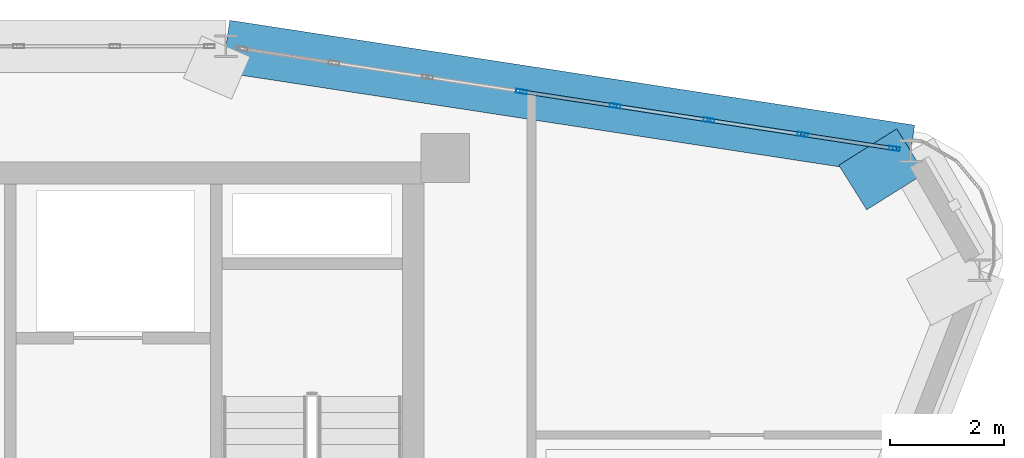
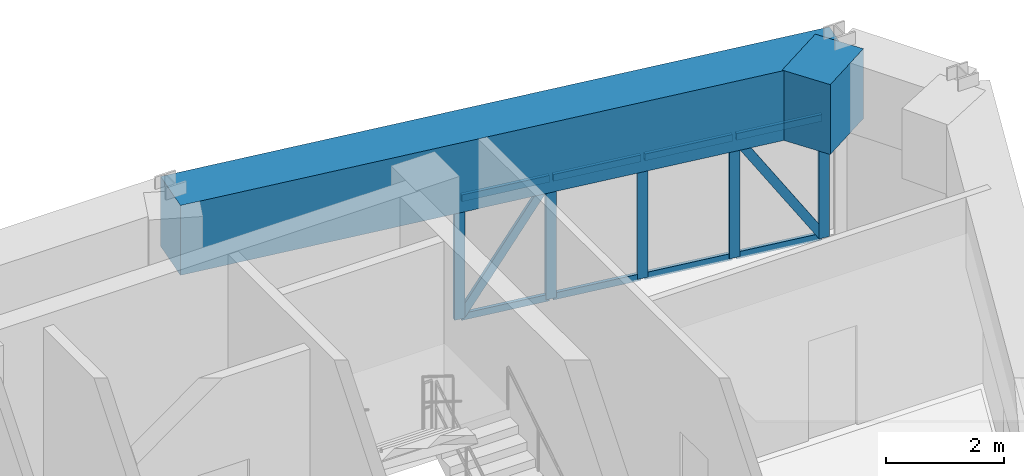
# One storey, part 10 of 16: 15 members, 2 beams, 1 element without a shape of its own.
"""IFC4 building model written with IfcOpenShell, lengths in metres."""

from ifc_helpers import new_model, si_unit, derived_unit, direction, frame, origin, origin_2d, place, context, subcontext, project, spatial, rectangle, hollow_rectangle, extrude, source, transform, mapped, material, layer, layer_set, material_profile, profile_set, type_object, element, aggregate, save


model = new_model("IFC4")

# Units and contexts
model_context = context("Model", 3, precision=1e-05, world=origin(), true_north=direction((0.0, 1.0)))
body_context = subcontext(model_context, "Body", "Model", "MODEL_VIEW")
ifc_project = project(units=[si_unit("LENGTHUNIT", "METRE"), si_unit("AREAUNIT", "SQUARE_METRE"), si_unit("VOLUMEUNIT", "CUBIC_METRE"), si_unit("PLANEANGLEUNIT", "RADIAN"), si_unit("MASSUNIT", "GRAM", prefix="KILO"), derived_unit("THERMALTRANSMITTANCEUNIT", [(si_unit("POWERUNIT", "WATT"), 1), (si_unit("LENGTHUNIT", "METRE"), -2), (si_unit("THERMODYNAMICTEMPERATUREUNIT", "KELVIN"), -1)])], contexts=[model_context])

# Site, building, storey
site_placement = place(None, origin())
site = spatial("IfcSite", under=ifc_project, at=site_placement, CompositionType="ELEMENT")
building_placement = place(site_placement, origin())
building = spatial("IfcBuilding", under=site, at=building_placement, Name="Korsvarv Bourse and Concert Hall", CompositionType="ELEMENT")
storey_placement = place(building_placement, frame((0.0, 0.0, 288.0)))
storey = spatial("IfcBuildingStorey", under=building, at=storey_placement, Name="L75", CompositionType="ELEMENT", Elevation=288.0)

# Beams
ifc_material_1 = material(Name="Concrete C50/60", Category="concrete")
ifc_material_profile_1 = material_profile(ifc_material_1, rectangle(XDim=0.919921875, YDim=1.43994140625, at=origin_2d()), Name="RC-BM 920x1440")
ifc_profile_set_1 = profile_set([ifc_material_profile_1], Name="Concrete C50/60")
beam_type = type_object("IfcBeamType", Name="BM-TR-144", PredefinedType="BEAM", material=ifc_profile_set_1)
shared_shape_1 = source(origin(), body_context, "Body", "SweptSolid", [
    extrude(rectangle(XDim=0.919921875, YDim=1.43994140625, at=origin_2d()), origin(), (0.0, 0.0, 1.0), 12.11767578125),
])
beam_1_placement = place(storey_placement, frame((53.28857421875, 47.37060546875, 3.22998046875), z_axis=(-0.9884869391, 0.151306216755, 0.0), x_axis=(-0.151306216755, -0.9884869391, 0.0)))
element("IfcBeam", 1, at=beam_1_placement, inside=storey, type_object=beam_type, Name="L75 beam B-TR4", PredefinedType="BEAM", context=body_context, shape_type="MappedRepresentation", body=[
    mapped(shared_shape_1, transform((0.0, 0.0, 0.0), scale=1.0)),
])
shared_shape_2 = source(origin(), body_context, "Body", "SweptSolid", [
    extrude(rectangle(XDim=0.919921875, YDim=1.43994140625, at=origin_2d()), origin(), (0.0, 0.0, 1.0), 1.197265625),
])
beam_2_placement = place(storey_placement, frame((53.28857421875, 47.37060546875, 3.22998046875), z_axis=(-0.846862224146, -0.531812347839, 0.0), x_axis=(0.531812347839, -0.846862224146, 0.0)))
element("IfcBeam", 2, at=beam_2_placement, inside=storey, type_object=beam_type, Name="L75 beam B-TR4", PredefinedType="BEAM", context=body_context, shape_type="MappedRepresentation", body=[
    mapped(shared_shape_2, transform((0.0, 0.0, 0.0), scale=1.0)),
])

# Curtain wall, members
ifc_material_2 = material(Name="Anodised aluminium and triple low-E glazing", Category="glass")
ifc_layer = layer(ifc_material_2, 0.18994140625)
ifc_layer_set = layer_set([ifc_layer], Name="Anodised aluminium and triple low-E glazing")
curtain_wall_type = type_object("IfcCurtainWallType", Name="CW-SYS-4", PredefinedType="NOTDEFINED", material=ifc_layer_set)
curtain_wall_placement = place(storey_placement, origin())
curtain_wall = element("IfcCurtainWall", 3, at=curtain_wall_placement, inside=storey, type_object=curtain_wall_type, Name="L75 CW4 curtain wall CW-L75-F02", PredefinedType="NOTDEFINED")
ifc_material_3 = material(Name="Extruded aluminium EN AW-6063 T66", Category="aluminium")
ifc_material_profile_2 = material_profile(ifc_material_3, hollow_rectangle(XDim=0.070068359375, YDim=0.18994140625, WallThickness=0.0048828125, at=origin_2d()), Name="ALU-M 70x190")
ifc_profile_set_2 = profile_set([ifc_material_profile_2], Name="Extruded aluminium EN AW-6063 T66")
member_type_1 = type_object("IfcMemberType", Name="CWM-190", PredefinedType="MULLION", material=ifc_profile_set_2)
shared_shape_3 = source(origin(), body_context, "Body", "SweptSolid", [
    extrude(hollow_rectangle(XDim=0.070068359375, YDim=0.18994140625, WallThickness=0.0048828125, at=origin_2d()), origin(), (0.0, 0.0, 1.0), 2.510009765625),
])
member_1_placement = place(storey_placement, frame((53.00341796875, 47.414306640625, 0.0), z_axis=(0.0, 0.0, 1.0), x_axis=(-0.151305111127, -0.988487108336, 0.0)))
member_1 = element("IfcMember", 4, at=member_1_placement, type_object=member_type_1, Name="CW4 mullion 1", PredefinedType="MULLION", context=body_context, shape_type="MappedRepresentation", body=[
    mapped(shared_shape_3, transform((0.0, 0.0, 0.0), scale=1.0)),
])
member_2_placement = place(storey_placement, frame((51.3984375, 47.659912109375, 0.0), z_axis=(0.0, 0.0, 1.0), x_axis=(-0.151305111127, -0.988487108336, 0.0)))
member_2 = element("IfcMember", 5, at=member_2_placement, type_object=member_type_1, Name="CW4 mullion 2", PredefinedType="MULLION", context=body_context, shape_type="MappedRepresentation", body=[
    mapped(shared_shape_3, transform((0.0, 0.0, 0.0), scale=1.0)),
])
member_3_placement = place(storey_placement, frame((49.7587890625, 47.910888671875, 0.0), z_axis=(0.0, 0.0, 1.0), x_axis=(-0.151305111127, -0.988487108336, 0.0)))
member_3 = element("IfcMember", 6, at=member_3_placement, type_object=member_type_1, Name="CW4 mullion 3", PredefinedType="MULLION", context=body_context, shape_type="MappedRepresentation", body=[
    mapped(shared_shape_3, transform((0.0, 0.0, 0.0), scale=1.0)),
])
member_4_placement = place(storey_placement, frame((48.119140625, 48.161865234375, 0.0), z_axis=(0.0, 0.0, 1.0), x_axis=(-0.151305111127, -0.988487108336, 0.0)))
member_4 = element("IfcMember", 7, at=member_4_placement, type_object=member_type_1, Name="CW4 mullion 4", PredefinedType="MULLION", context=body_context, shape_type="MappedRepresentation", body=[
    mapped(shared_shape_3, transform((0.0, 0.0, 0.0), scale=1.0)),
])
member_5_placement = place(storey_placement, frame((46.4794921875, 48.412841796875, 0.0), z_axis=(0.0, 0.0, 1.0), x_axis=(-0.151305111127, -0.988487108336, 0.0)))
member_5 = element("IfcMember", 8, at=member_5_placement, type_object=member_type_1, Name="CW4 mullion 5", PredefinedType="MULLION", context=body_context, shape_type="MappedRepresentation", body=[
    mapped(shared_shape_3, transform((0.0, 0.0, 0.0), scale=1.0)),
])
ifc_material_profile_3 = material_profile(ifc_material_3, hollow_rectangle(XDim=0.06494140625, YDim=0.139892578125, WallThickness=0.00390625, at=origin_2d()), Name="ALU-T 65x140")
ifc_profile_set_3 = profile_set([ifc_material_profile_3], Name="Extruded aluminium EN AW-6063 T66")
member_type_2 = type_object("IfcMemberType", Name="CWT-140", PredefinedType="USERDEFINED", material=ifc_profile_set_3)
shared_shape_4 = source(origin(), body_context, "Body", "SweptSolid", [
    extrude(hollow_rectangle(XDim=0.06494140625, YDim=0.139892578125, WallThickness=0.00390625, at=origin_2d()), origin(), (0.0, 0.0, 1.0), 1.5537109375),
])
member_6_placement = place(storey_placement, frame((52.96875, 47.41943359375, 0.032470703125), z_axis=(-0.988485857041, 0.151313285699, 0.0), x_axis=(-0.151313285699, -0.988485857041, 0.0)))
member_6 = element("IfcMember", 9, at=member_6_placement, type_object=member_type_2, Name="CW4 transom 1.1", ObjectType="TRANSOM", PredefinedType="USERDEFINED", context=body_context, shape_type="MappedRepresentation", body=[
    mapped(shared_shape_4, transform((0.0, 0.0, 0.0), scale=1.0)),
])
member_7_placement = place(storey_placement, frame((52.96875, 47.41943359375, 2.4775390625), z_axis=(-0.988485857041, 0.151313285699, 0.0), x_axis=(-0.151313285699, -0.988485857041, 0.0)))
member_7 = element("IfcMember", 10, at=member_7_placement, type_object=member_type_2, Name="CW4 transom 1.2", ObjectType="TRANSOM", PredefinedType="USERDEFINED", context=body_context, shape_type="MappedRepresentation", body=[
    mapped(shared_shape_4, transform((0.0, 0.0, 0.0), scale=1.0)),
])
ifc_material_profile_4 = material_profile(ifc_material_3, hollow_rectangle(XDim=0.06494140625, YDim=0.1650390625, WallThickness=0.0048828125, at=origin_2d()), Name="ALU-M 65x165")
ifc_profile_set_4 = profile_set([ifc_material_profile_4], Name="Extruded aluminium EN AW-6063 T66")
member_type_3 = type_object("IfcMemberType", Name="CWM-165", PredefinedType="MULLION", material=ifc_profile_set_4)
shared_shape_5 = source(origin(), body_context, "Body", "SweptSolid", [
    extrude(hollow_rectangle(XDim=0.06494140625, YDim=0.1650390625, WallThickness=0.0048828125, at=origin_2d()), origin(), (0.0, 0.0, 1.0), 2.84228515625),
])
member_8_placement = place(storey_placement, frame((52.96875, 47.41943359375, 0.06494140625), z_axis=(-0.540349368802, 0.082714424123, 0.837365442132), x_axis=(-0.151313285699, -0.988485857041, 0.0)))
member_8 = element("IfcMember", 11, at=member_8_placement, type_object=member_type_3, Name="CW4 diagonal mullion 1", PredefinedType="MULLION", context=body_context, shape_type="MappedRepresentation", body=[
    mapped(shared_shape_5, transform((0.0, 0.0, 0.0), scale=1.0)),
])
shared_shape_6 = source(origin(), body_context, "Body", "SweptSolid", [
    extrude(hollow_rectangle(XDim=0.06494140625, YDim=0.139892578125, WallThickness=0.00390625, at=origin_2d()), origin(), (0.0, 0.0, 1.0), 1.588623046875),
])
member_9_placement = place(storey_placement, frame((51.36376953125, 47.665283203125, 0.032470703125), z_axis=(-0.988499270322, 0.151225634639, 0.0), x_axis=(-0.151225634639, -0.988499270322, 0.0)))
member_9 = element("IfcMember", 12, at=member_9_placement, type_object=member_type_2, Name="CW4 transom 2.1", ObjectType="TRANSOM", PredefinedType="USERDEFINED", context=body_context, shape_type="MappedRepresentation", body=[
    mapped(shared_shape_6, transform((0.0, 0.0, 0.0), scale=1.0)),
])
member_10_placement = place(storey_placement, frame((51.36376953125, 47.665283203125, 2.4775390625), z_axis=(-0.988499270322, 0.151225634639, 0.0), x_axis=(-0.151225634639, -0.988499270322, 0.0)))
member_10 = element("IfcMember", 13, at=member_10_placement, type_object=member_type_2, Name="CW4 transom 2.2", ObjectType="TRANSOM", PredefinedType="USERDEFINED", context=body_context, shape_type="MappedRepresentation", body=[
    mapped(shared_shape_6, transform((0.0, 0.0, 0.0), scale=1.0)),
])
member_11_placement = place(storey_placement, frame((49.72412109375, 47.916259765625, 0.032470703125), z_axis=(-0.988499270322, 0.151225634639, 0.0), x_axis=(-0.151225634639, -0.988499270322, 0.0)))
member_11 = element("IfcMember", 14, at=member_11_placement, type_object=member_type_2, Name="CW4 transom 3.1", ObjectType="TRANSOM", PredefinedType="USERDEFINED", context=body_context, shape_type="MappedRepresentation", body=[
    mapped(shared_shape_6, transform((0.0, 0.0, 0.0), scale=1.0)),
])
member_12_placement = place(storey_placement, frame((49.72412109375, 47.916259765625, 2.4775390625), z_axis=(-0.988499270322, 0.151225634639, 0.0), x_axis=(-0.151225634639, -0.988499270322, 0.0)))
member_12 = element("IfcMember", 15, at=member_12_placement, type_object=member_type_2, Name="CW4 transom 3.2", ObjectType="TRANSOM", PredefinedType="USERDEFINED", context=body_context, shape_type="MappedRepresentation", body=[
    mapped(shared_shape_6, transform((0.0, 0.0, 0.0), scale=1.0)),
])
member_13_placement = place(storey_placement, frame((48.08447265625, 48.1669921875, 0.032470703125), z_axis=(-0.98847628569, 0.151375799348, 0.0), x_axis=(-0.151375799348, -0.98847628569, 0.0)))
member_13 = element("IfcMember", 16, at=member_13_placement, type_object=member_type_2, Name="CW4 transom 4.1", ObjectType="TRANSOM", PredefinedType="USERDEFINED", context=body_context, shape_type="MappedRepresentation", body=[
    mapped(shared_shape_6, transform((0.0, 0.0, 0.0), scale=1.0)),
])
member_14_placement = place(storey_placement, frame((48.08447265625, 48.1669921875, 2.4775390625), z_axis=(-0.98847628569, 0.151375799348, 0.0), x_axis=(-0.151375799348, -0.98847628569, 0.0)))
member_14 = element("IfcMember", 17, at=member_14_placement, type_object=member_type_2, Name="CW4 transom 4.2", ObjectType="TRANSOM", PredefinedType="USERDEFINED", context=body_context, shape_type="MappedRepresentation", body=[
    mapped(shared_shape_6, transform((0.0, 0.0, 0.0), scale=1.0)),
])
shared_shape_7 = source(origin(), body_context, "Body", "SweptSolid", [
    extrude(hollow_rectangle(XDim=0.06494140625, YDim=0.1650390625, WallThickness=0.0048828125, at=origin_2d()), origin(), (0.0, 0.0, 1.0), 2.861572265625),
])
member_15_placement = place(storey_placement, frame((46.51416015625, 48.407470703125, 0.06494140625), z_axis=(0.548754626006, -0.08403658374, 0.831748888205), x_axis=(0.151375799348, 0.98847628569, 0.0)))
member_15 = element("IfcMember", 18, at=member_15_placement, type_object=member_type_3, Name="CW4 diagonal mullion 4", PredefinedType="MULLION", context=body_context, shape_type="MappedRepresentation", body=[
    mapped(shared_shape_7, transform((0.0, 0.0, 0.0), scale=1.0)),
])
aggregate(curtain_wall, [member_1, member_2, member_3, member_4, member_5, member_6, member_7, member_8, member_9, member_10, member_11, member_12, member_13, member_14, member_15])

save(model, "model.ifc")
